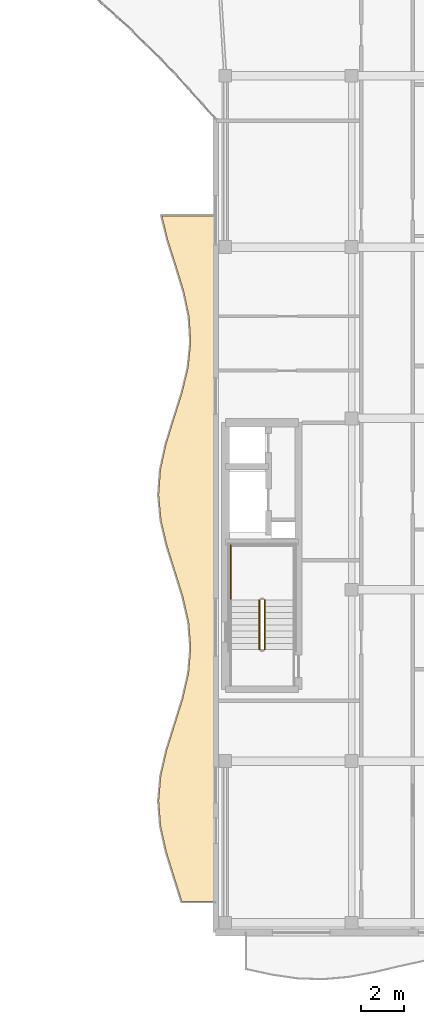
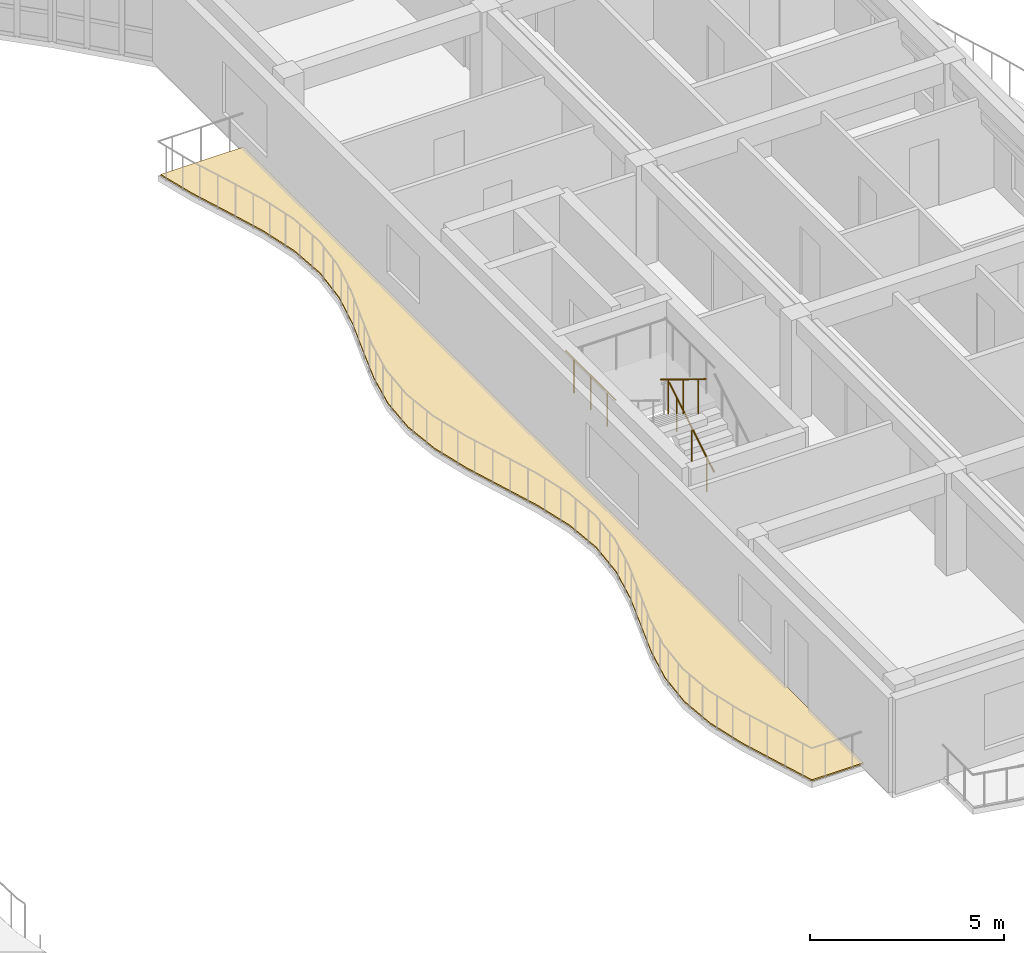
# One storey, part 51 of 72: 3 railings, 1 covering.
"""IFC4 building model written with IfcOpenShell, lengths in metres."""

from ifc_helpers import new_model, si_unit, direction, frame, origin, origin_2d, place, context, subcontext, project, spatial, polyline, circle, outline, extrude, material, layer, layer_set, type_object, element, save


model = new_model("IFC4")

# Units and contexts
model_context = context("Model", 3, precision=1e-05, world=origin(), true_north=direction((0.0, 1.0)))
body_context = subcontext(model_context, "Body", "Model", "MODEL_VIEW")
ifc_project = project(units=[si_unit("LENGTHUNIT", "METRE"), si_unit("AREAUNIT", "SQUARE_METRE"), si_unit("VOLUMEUNIT", "CUBIC_METRE"), si_unit("PLANEANGLEUNIT", "RADIAN"), si_unit("MASSUNIT", "GRAM", prefix="KILO")], contexts=[model_context])

# Site, building, storey
site_placement = place(None, origin())
site = spatial("IfcSite", under=ifc_project, at=site_placement, CompositionType="ELEMENT")
building_placement = place(site_placement, origin())
building = spatial("IfcBuilding", under=site, at=building_placement, Name="Keldmere Railside Commons", CompositionType="ELEMENT")
storey_placement = place(building_placement, frame((0.0, 0.0, 16.9599609375)))
storey = spatial("IfcBuildingStorey", under=building, at=storey_placement, Name="L05", CompositionType="ELEMENT", Elevation=16.9599609375)

# Railings
ifc_material_1 = material(Name="Steel F-24 (S235)", Category="steel")
railing_type = type_object("IfcRailingType", Name="Stair Well Steel Guardrail 1100", PredefinedType="BALUSTRADE", material=ifc_material_1)
railing_1_placement = place(storey_placement, frame((50.300048828125, 69.199951171875, 0.177734375)))
element("IfcRailing", 1, at=railing_1_placement, inside=storey, type_object=railing_type, Name="L05 ST-C1 stair guard 1", PredefinedType="BALUSTRADE", context=body_context, shape_type="SweptSolid", body=[
    extrude(circle(Radius=0.02392578125, at=origin_2d()), frame((0.0, 0.0, 1.076171875), z_axis=(0.0, 0.852538067394, 0.522665135287), x_axis=(-1.0, 0.0, 0.0)), (0.0, 0.0, 1.0), 2.721435546875),
    extrude(circle(Radius=0.02099609375, at=origin_2d()), frame((0.0, 0.38671875, 0.237060546875)), (0.0, 0.0, 1.0), 1.048095703125),
    extrude(circle(Radius=0.02099609375, at=origin_2d()), frame((0.0, 1.16015625, 0.711181640625)), (0.0, 0.0, 1.0), 1.048095703125),
    extrude(circle(Radius=0.02099609375, at=origin_2d()), frame((0.0, 1.933349609375, 1.185302734375)), (0.0, 0.0, 1.0), 1.048095703125),
])
railing_2_placement = place(storey_placement, frame((48.699951171875, 71.52001953125, 1.60009765625)))
element("IfcRailing", 2, at=railing_2_placement, inside=storey, type_object=railing_type, Name="L05 ST-C1 stair guard 4", PredefinedType="BALUSTRADE", context=body_context, shape_type="SweptSolid", body=[
    extrude(circle(Radius=0.02392578125, at=origin_2d()), frame((0.0, 0.0, 1.076171875), z_axis=(0.0, 1.0, 0.0), x_axis=(-1.0, 0.0, 0.0)), (0.0, 0.0, 1.0), 2.580078125),
    extrude(circle(Radius=0.02099609375, at=origin_2d()), frame((0.0, 0.429931640625, 0.0)), (0.0, 0.0, 1.0), 1.048095703125),
    extrude(circle(Radius=0.02099609375, at=origin_2d()), frame((0.0, 1.2900390625, 0.0)), (0.0, 0.0, 1.0), 1.048095703125),
    extrude(circle(Radius=0.02099609375, at=origin_2d()), frame((0.0, 2.150146484375, 0.0)), (0.0, 0.0, 1.0), 1.048095703125),
])
railing_3_placement = place(storey_placement, frame((50.050048828125, 71.52001953125, 1.77783203125)))
element("IfcRailing", 3, at=railing_3_placement, inside=storey, type_object=railing_type, Name="L05 ST-C1 stair guard 6", PredefinedType="BALUSTRADE", context=body_context, shape_type="SweptSolid", body=[
    extrude(circle(Radius=0.02392578125, at=origin_2d()), frame((0.0, 0.0, 1.076171875), z_axis=(0.0, -0.852578041948, 0.522599925744), x_axis=(1.0, 0.0, 0.0)), (0.0, 0.0, 1.0), 2.72119140625),
    extrude(circle(Radius=0.02099609375, at=origin_2d()), frame((0.0, -0.38671875, 0.237060546875)), (0.0, 0.0, 1.0), 1.048095703125),
    extrude(circle(Radius=0.02099609375, at=origin_2d()), frame((0.0, -1.16015625, 0.7109375)), (0.0, 0.0, 1.0), 1.048095703125),
    extrude(circle(Radius=0.02099609375, at=origin_2d()), frame((0.0, -1.933349609375, 1.18505859375)), (0.0, 0.0, 1.0), 1.048095703125),
])

# Covering
ifc_material_2 = material(Name="White Precast Concrete C35/45", Category="concrete")
ifc_layer = layer(ifc_material_2, 0.044921875, Name="White Architectural Balcony Ribbon Cladding 45")
ifc_layer_set = layer_set([ifc_layer], Name="White Precast Concrete C35/45")
covering_type = type_object("IfcCoveringType", Name="White Architectural Balcony Ribbon Cladding 45", PredefinedType="FLOORING", material=ifc_layer_set)
covering_placement = place(storey_placement, origin())
element("IfcCovering", 4, at=covering_placement, inside=storey, type_object=covering_type, Name="CLG-WB C L05 CW White Balcony Ribbon", PredefinedType="FLOORING", context=body_context, shape_type="SweptSolid", body=[
    extrude(outline(polyline([(47.9599609375, 89.4599609375), (45.488037109375, 89.4599609375), (45.7705078125, 88.322021484375), (46.148681640625, 87.13427734375), (46.148681640625, 87.1337890625), (46.511474609375, 85.945068359375), (46.51220703125, 85.941650390625), (46.763671875, 84.752685546875), (46.764404296875, 84.746826171875), (46.83837890625, 83.55810546875), (46.83837890625, 83.5546875), (46.838134765625, 83.551513671875), (46.715087890625, 82.362548828125), (46.714111328125, 82.357421875), (46.426513671875, 81.16845703125), (46.42578125, 81.165771484375), (46.04931640625, 79.97705078125), (45.68359375, 78.789794921875), (45.425048828125, 77.60546875), (45.340576171875, 76.422607421875), (45.452392578125, 75.23974609375), (45.731689453125, 74.054931640625), (46.10498046875, 72.86767578125), (46.10498046875, 72.867431640625), (46.474609375, 71.6787109375), (46.4755859375, 71.675537109375), (46.743408203125, 70.486572265625), (46.744140625, 70.48095703125), (46.83984375, 69.2919921875), (46.840087890625, 69.288818359375), (46.83984375, 69.285400390625), (46.73828125, 68.0966796875), (46.7373046875, 68.091064453125), (46.465087890625, 66.902099609375), (46.46435546875, 66.899169921875), (46.093017578125, 65.710205078125), (45.720947265625, 64.522705078125), (45.4462890625, 63.338134765625), (45.34033203125, 62.1552734375), (45.4306640625, 60.97265625), (45.69384765625, 59.7880859375), (46.0615234375, 58.600830078125), (46.427734375, 57.43994140625), (47.9599609375, 57.43994140625), (47.9599609375, 89.4599609375)])), origin(), (0.0, 0.0, 1.0), 0.044921875),
])

save(model, "model.ifc")
